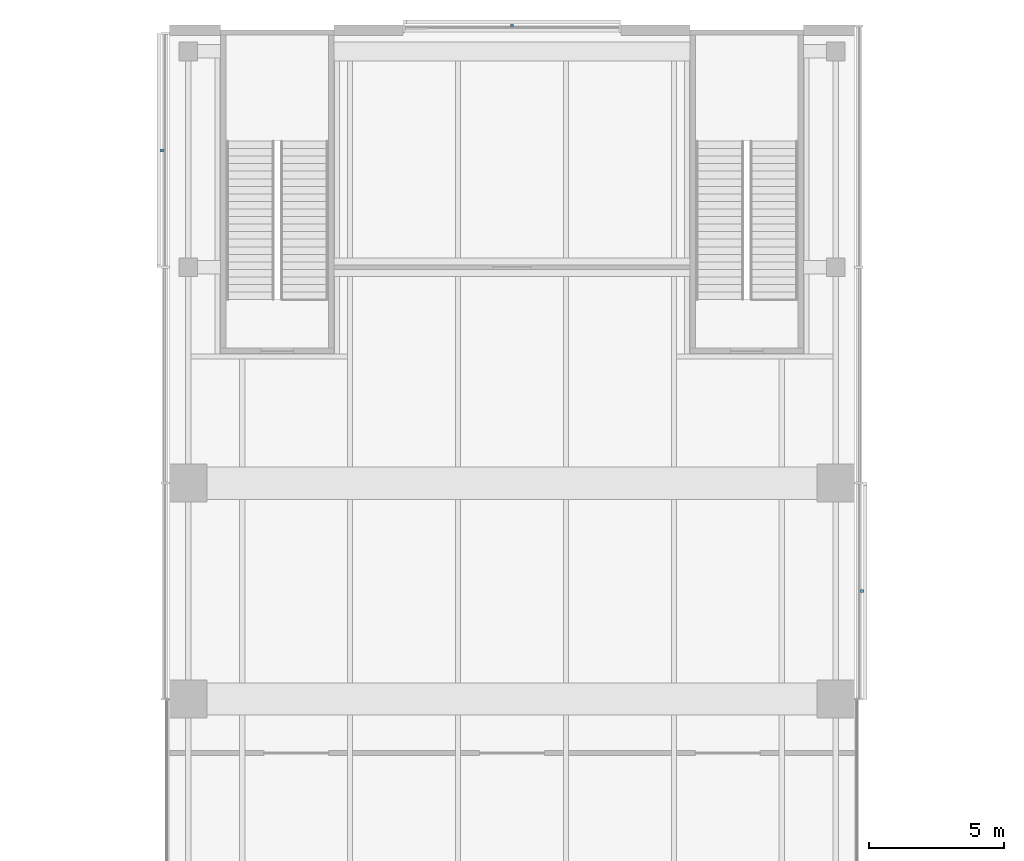
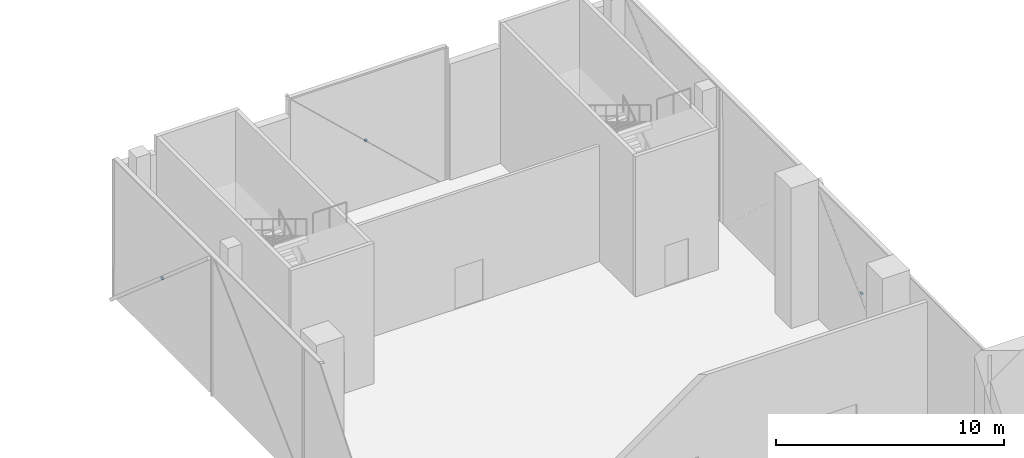
# One storey, part 23 of 25: 3 discrete accessories.
"""IFC4 building model written with IfcOpenShell, lengths in metres."""

from ifc_helpers import new_model, si_unit, direction, frame, origin, origin_2d, place, context, subcontext, project, spatial, rectangle, extrude, material, type_object, element, save


model = new_model("IFC4")

# Units and contexts
model_context = context("Model", 3, precision=1e-05, world=origin(), true_north=direction((0.0, 1.0)))
body_context = subcontext(model_context, "Body", "Model", "MODEL_VIEW")
ifc_project = project(units=[si_unit("LENGTHUNIT", "METRE"), si_unit("AREAUNIT", "SQUARE_METRE"), si_unit("VOLUMEUNIT", "CUBIC_METRE"), si_unit("PLANEANGLEUNIT", "RADIAN"), si_unit("MASSUNIT", "GRAM", prefix="KILO")], contexts=[model_context])

# Site, building, storey
site_placement = place(None, origin())
site = spatial("IfcSite", under=ifc_project, at=site_placement, CompositionType="ELEMENT")
building_placement = place(site_placement, origin())
building = spatial("IfcBuilding", under=site, at=building_placement, Name="Crosswind Convention Tower", CompositionType="ELEMENT")
storey_placement = place(building_placement, frame((0.0, 0.0, 34.0)))
storey = spatial("IfcBuildingStorey", under=building, at=storey_placement, Name="L04", CompositionType="ELEMENT", Elevation=34.0)

# Discrete accessories
ifc_material = material(Name="Stainless steel", Category="steel")
discrete_accessory_type = type_object("IfcDiscreteAccessoryType", Name="BAGUETTE BRACKET BK1", PredefinedType="BRACKET", material=ifc_material)
for number, where, z_axis, x_axis, name in (
    (1, (137.97412109375, 124.0, 3.25), (0.0, 0.0, 1.0), (0.0, 1.0, 0.0), "BK1 baguette bracket"),
    (2, (125.0, 144.97412109375, 3.25), (0.0, 0.0, 1.0), (-1.0, 0.0, 0.0), "BK1 baguette bracket"),
    (3, (112.02587890625, 140.330078125, 3.25), (0.0, 0.0, 1.0), (0.0, -1.0, 0.0), "BK1 baguette bracket"),
):
    element("IfcDiscreteAccessory", number, at=place(storey_placement, frame(where, z_axis=z_axis, x_axis=x_axis)), inside=storey, type_object=discrete_accessory_type, Name=name, PredefinedType="BRACKET", context=body_context, shape_type="SweptSolid", body=[
        extrude(rectangle(XDim=0.1201171875, YDim=0.10009765625, at=origin_2d()), origin(), (0.0, 0.0, 1.0), 0.1201171875),
    ])

save(model, "model.ifc")
